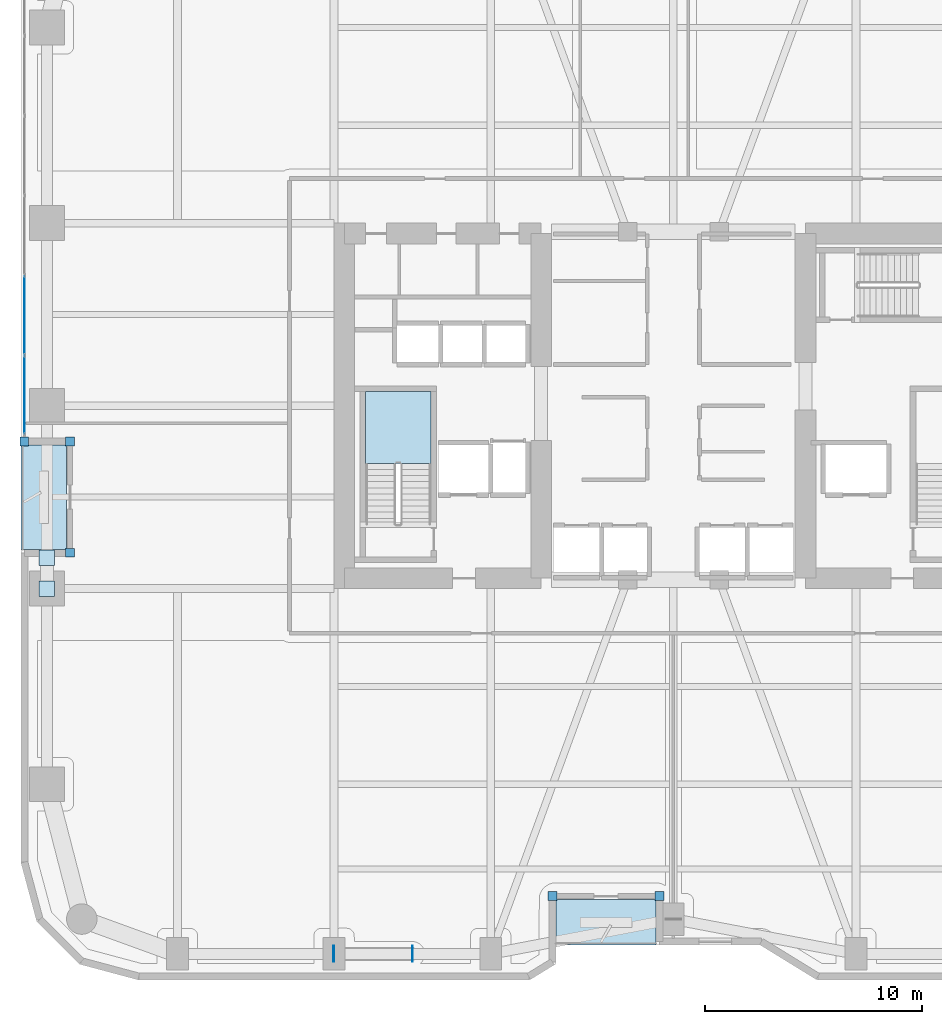
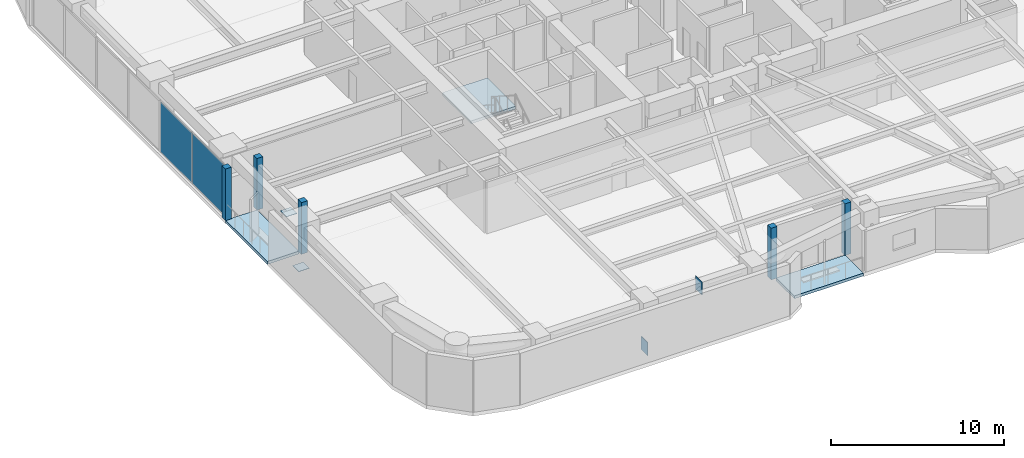
# One storey, part 19 of 29: 11 plates, 3 slabs, 2 elements without a shape of their own.
"""IFC4 building model written with IfcOpenShell, lengths in metres."""

from ifc_helpers import new_model, si_unit, direction, frame, origin, origin_2d, place, context, subcontext, project, spatial, polyline, rectangle, outline, extrude, material, layer, layer_set, type_object, element, aggregate, save


model = new_model("IFC4")

# Units and contexts
model_context = context("Model", 3, precision=1e-05, world=origin(), true_north=direction((0.0, 1.0)))
body_context = subcontext(model_context, "Body", "Model", "MODEL_VIEW")
ifc_project = project(units=[si_unit("LENGTHUNIT", "METRE"), si_unit("AREAUNIT", "SQUARE_METRE"), si_unit("VOLUMEUNIT", "CUBIC_METRE"), si_unit("PLANEANGLEUNIT", "RADIAN"), si_unit("MASSUNIT", "GRAM", prefix="KILO")], contexts=[model_context])

# Site, building, storey
site_placement = place(None, origin())
site = spatial("IfcSite", under=ifc_project, at=site_placement, CompositionType="ELEMENT")
building_placement = place(site_placement, origin())
building = spatial("IfcBuilding", under=site, at=building_placement, Name="Kiyonajd Concourse Tower", CompositionType="ELEMENT")
storey_placement = place(building_placement, frame((0.0, 0.0, 29.39990234375)))
storey = spatial("IfcBuildingStorey", under=building, at=storey_placement, Name="L08", CompositionType="ELEMENT", Elevation=29.39990234375)

# Plates
ifc_material_1 = material(Name="Steel ASTM A572 Grade 50", Category="steel")
ifc_layer_1 = layer(ifc_material_1, 0.028076171875)
ifc_layer_set_1 = layer_set([ifc_layer_1], Name="Steel ASTM A572 Grade 50")
plate_type_1 = type_object("IfcPlateType", Name="PL-CAP-450", PredefinedType="USERDEFINED", material=ifc_layer_set_1)
for number, where, z_axis, x_axis, name in (
    (1, (32.3916015625, 10.800048828125, -0.17333984375), (0.0, 0.0, 1.0), (-1.0, 0.0, 0.0), "L08 Hollow Brace End Cap Plate PBS"),
    (2, (36.008544921875, 10.800048828125, 2.83056640625), (0.0, 0.0, 1.0), (1.0, 0.0, 0.0), "L08 Hollow Brace Top Cap Plate PBS"),
):
    element("IfcPlate", number, at=place(storey_placement, frame(where, z_axis=z_axis, x_axis=x_axis)), inside=storey, type_object=plate_type_1, Name=name, ObjectType="CAP PLATE", PredefinedType="USERDEFINED", context=body_context, shape_type="SweptSolid", body=[
        extrude(rectangle(XDim=0.035888671875, YDim=0.72998046875, at=origin_2d()), origin(), (0.0, 0.0, 1.0), 0.93310546875),
    ])
for number, where, z_axis, x_axis, name in (
    (3, (19.199951171875, 27.59521484375, 0.27587890625), (0.0, 0.0, 1.0), (1.0, 0.0, 0.0), "L08 Hollow Brace End Cap Plate PBW"),
    (4, (19.199951171875, 29.004638671875, 3.2861328125), (0.0, 0.0, 1.0), (1.0, 0.0, 0.0), "L08 Hollow Brace Top Cap Plate PBW"),
):
    element("IfcPlate", number, at=place(storey_placement, frame(where, z_axis=z_axis, x_axis=x_axis)), inside=storey, type_object=plate_type_1, Name=name, ObjectType="CAP PLATE", PredefinedType="USERDEFINED", context=body_context, shape_type="SweptSolid", body=[
        extrude(rectangle(XDim=0.7099609375, YDim=0.7099609375, at=origin_2d()), origin(), (0.0, 0.0, 1.0), 0.028076171875),
    ])

# Curtain wall, plates
ifc_material_2 = material(Name="Thermally Broken Anodised Aluminium", Category="aluminium")
ifc_layer_2 = layer(ifc_material_2, 0.179931640625)
ifc_layer_set_2 = layer_set([ifc_layer_2], Name="Thermally Broken Anodised Aluminium")
curtain_wall_type = type_object("IfcCurtainWallType", Name="CW-SYS-02", PredefinedType="NOTDEFINED", material=ifc_layer_set_2)
curtain_wall_placement = place(storey_placement, origin())
curtain_wall = element("IfcCurtainWall", 5, at=curtain_wall_placement, inside=storey, type_object=curtain_wall_type, Name="L08 Unitised Curtain Wall CW2", PredefinedType="NOTDEFINED")
ifc_material_3 = material(Name="Double Low-E Insulated Glass", Category="glass")
ifc_layer_3 = layer(ifc_material_3, 0.028076171875)
ifc_layer_set_3 = layer_set([ifc_layer_3], Name="Double Low-E Insulated Glass")
plate_type_2 = type_object("IfcPlateType", Name="PL-CW-VIS28", PredefinedType="CURTAIN_PANEL", material=ifc_layer_set_3)
plate_1_placement = place(storey_placement, frame((18.159912109375, 36.5029296875, 0.06494140625), z_axis=(0.0, 0.0, 1.0), x_axis=(0.0, 1.0, 0.0)))
plate_1 = element("IfcPlate", 6, at=plate_1_placement, type_object=plate_type_2, Name="CW2 panel 1.1", PredefinedType="CURTAIN_PANEL", context=body_context, shape_type="SweptSolid", body=[
    extrude(rectangle(XDim=3.57568359375, YDim=0.028076171875, at=origin_2d()), origin(), (0.0, 0.0, 1.0), 3.510009765625),
])
plate_2_placement = place(storey_placement, frame((18.159912109375, 40.15966796875, 0.06494140625), z_axis=(0.0, 0.0, 1.0), x_axis=(0.0, 1.0, 0.0)))
plate_2 = element("IfcPlate", 7, at=plate_2_placement, type_object=plate_type_2, Name="CW2 panel 2.1", PredefinedType="CURTAIN_PANEL", context=body_context, shape_type="SweptSolid", body=[
    extrude(rectangle(XDim=3.608154296875, YDim=0.028076171875, at=origin_2d()), origin(), (0.0, 0.0, 1.0), 3.510009765625),
])
aggregate(curtain_wall, [plate_1, plate_2])

# Plates
ifc_layer_4 = layer(ifc_material_2, 0.39990234375)
ifc_layer_set_4 = layer_set([ifc_layer_4], Name="Thermally Broken Anodised Aluminium")
plate_type_3 = type_object("IfcPlateType", Name="PL-JMB-400", PredefinedType="USERDEFINED", material=ifc_layer_set_4)
for number, where, z_axis, x_axis, name in (
    (8, (20.260009765625, 29.239990234375, 0.0), (0.0, 0.0, 1.0), (1.0, 0.0, 0.0), "L08 Facade Jamb Closure Plate 01"),
    (9, (20.260009765625, 34.360107421875, 0.0), (0.0, 0.0, 1.0), (1.0, 0.0, 0.0), "L08 Facade Jamb Closure Plate 02"),
    (10, (18.159912109375, 34.360107421875, 0.0), (0.0, 0.0, 1.0), (1.0, 0.0, 0.0), "L08 Facade Jamb Closure Plate 03"),
    (11, (47.360107421875, 13.4599609375, 0.0), (0.0, 0.0, 1.0), (1.0, 0.0, 0.0), "L08 Facade Jamb Closure Plate 13"),
    (12, (42.43994140625, 13.4599609375, 0.0), (0.0, 0.0, 1.0), (1.0, 0.0, 0.0), "L08 Facade Jamb Closure Plate 14"),
):
    element("IfcPlate", number, at=place(storey_placement, frame(where, z_axis=z_axis, x_axis=x_axis)), inside=storey, type_object=plate_type_3, Name=name, ObjectType="JAMB PLATE", PredefinedType="USERDEFINED", context=body_context, shape_type="SweptSolid", body=[
        extrude(rectangle(XDim=0.39990234375, YDim=0.39990234375, at=origin_2d()), origin(), (0.0, 0.0, 1.0), 3.639892578125),
    ])

# Stair, slab
ifc_material_4 = material(Name="Concrete C40/50", Category="concrete")
stair_type = type_object("IfcStairType", Name="ST-DLG-22R", PredefinedType="HALF_TURN_STAIR", material=ifc_material_4)
stair_placement = place(storey_placement, origin())
stair = element("IfcStair", 13, at=stair_placement, inside=storey, type_object=stair_type, Name="L08 Protected Exit Stair ST1", PredefinedType="HALF_TURN_STAIR")
ifc_layer_5 = layer(ifc_material_4, 0.199951171875)
ifc_layer_set_5 = layer_set([ifc_layer_5], Name="Concrete C40/50")
slab_type_1 = type_object("IfcSlabType", Name="SL-LND-200", PredefinedType="LANDING", material=ifc_layer_set_5)
slab_1_placement = place(storey_placement, frame((0.0, 0.0, 1.75)))
slab_1 = element("IfcSlab", 14, at=slab_1_placement, type_object=slab_type_1, Name="ST1 landing 1", PredefinedType="LANDING", context=body_context, shape_type="SweptSolid", body=[
    extrude(outline(polyline([(36.85009765625, 33.35009765625), (36.85009765625, 36.64990234375), (33.85009765625, 36.64990234375), (33.85009765625, 33.35009765625), (36.85009765625, 33.35009765625)])), origin(), (0.0, 0.0, 1.0), 0.2001953125),
])
aggregate(stair, [slab_1])

# Slabs
ifc_material_5 = material(Name="Precast concrete C50/60", Category="concrete")
ifc_layer_6 = layer(ifc_material_5, 0.199951171875)
ifc_layer_set_6 = layer_set([ifc_layer_6], Name="Precast concrete C50/60")
slab_type_2 = type_object("IfcSlabType", Name="SL-LOG-200", PredefinedType="FLOOR", material=ifc_layer_set_6)
slab_2_placement = place(storey_placement, frame((0.0, 0.0, -0.199951171875)))
element("IfcSlab", 15, at=slab_2_placement, inside=storey, type_object=slab_type_2, Name="L08 Recessed Engawa Loggia Terrace Slab LOG-S", PredefinedType="FLOOR", context=body_context, shape_type="SweptSolid", body=[
    extrude(outline(polyline([(42.60009765625, 11.199951171875), (47.199951171875, 11.199951171875), (47.199951171875, 13.300048828125), (42.60009765625, 13.300048828125), (42.60009765625, 11.199951171875)])), origin(), (0.0, 0.0, 1.0), 0.199951171875),
])
slab_3_placement = place(storey_placement, frame((0.0, 0.0, -0.199951171875)))
element("IfcSlab", 16, at=slab_3_placement, inside=storey, type_object=slab_type_2, Name="L08 Recessed Engawa Loggia Terrace Slab LOG-W", PredefinedType="FLOOR", context=body_context, shape_type="SweptSolid", body=[
    extrude(outline(polyline([(18.0, 29.39990234375), (20.10009765625, 29.39990234375), (20.10009765625, 34.199951171875), (18.0, 34.199951171875), (18.0, 29.39990234375)])), origin(), (0.0, 0.0, 1.0), 0.199951171875),
])

save(model, "model.ifc")
